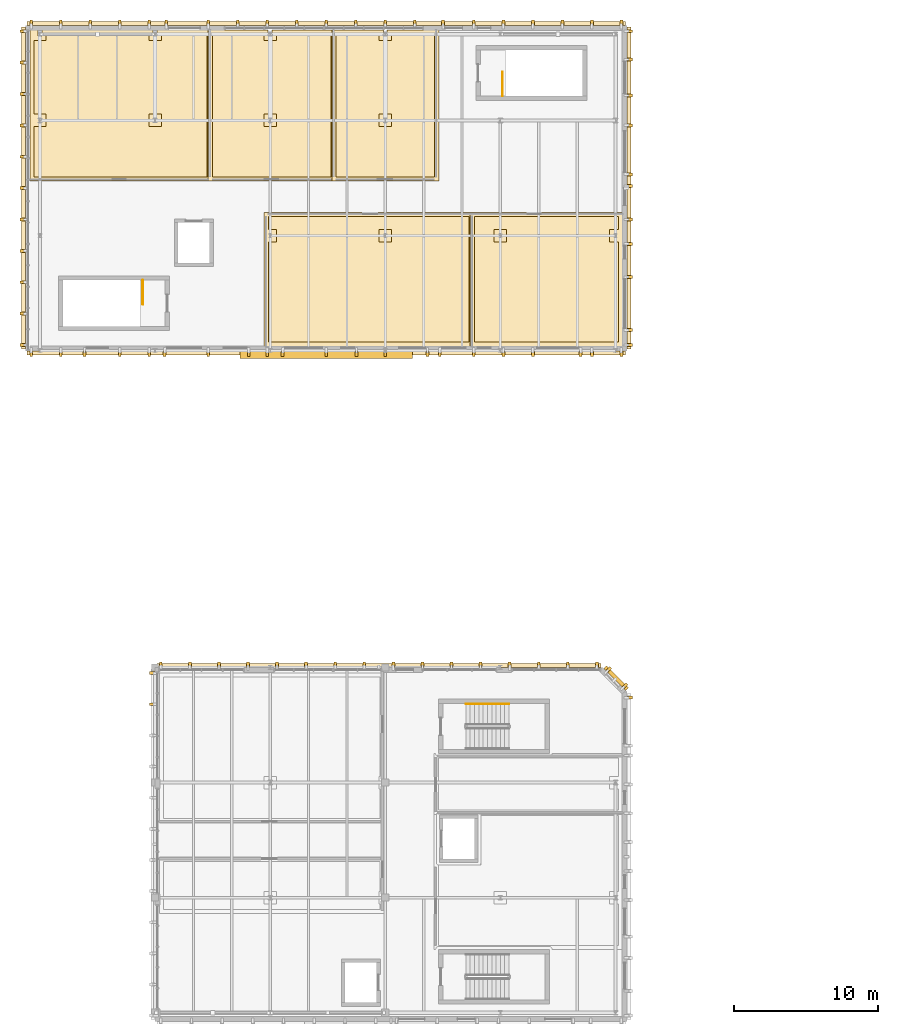
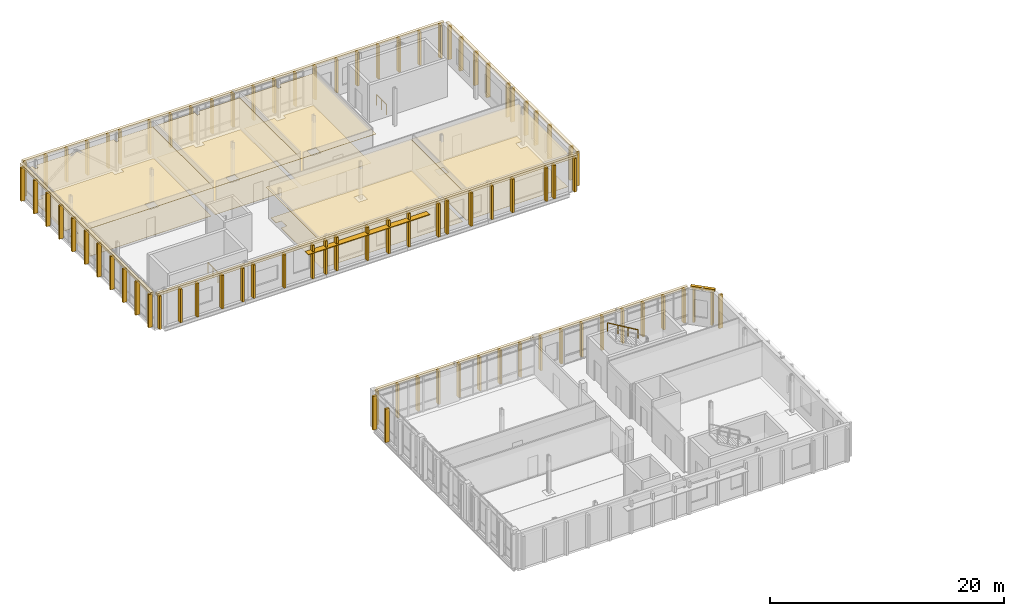
# One storey, part 37 of 40: 101 coverings, 3 railings, 1 shading device.
"""IFC4 building model written with IfcOpenShell, lengths in metres."""

from ifc_helpers import new_model, si_unit, direction, frame, origin, origin_2d, place, context, subcontext, project, spatial, polyline, rectangle, circle, outline, extrude, material, layer, layer_set, type_object, element, save


model = new_model("IFC4")

# Units and contexts
model_context = context("Model", 3, precision=1e-05, world=origin(), true_north=direction((0.0, 1.0)))
body_context = subcontext(model_context, "Body", "Model", "MODEL_VIEW")
ifc_project = project(units=[si_unit("LENGTHUNIT", "METRE"), si_unit("AREAUNIT", "SQUARE_METRE"), si_unit("VOLUMEUNIT", "CUBIC_METRE"), si_unit("PLANEANGLEUNIT", "RADIAN"), si_unit("MASSUNIT", "GRAM", prefix="KILO")], contexts=[model_context])

# Site, building, storey
site_placement = place(None, origin())
site = spatial("IfcSite", under=ifc_project, at=site_placement, CompositionType="ELEMENT")
building_placement = place(site_placement, origin())
building = spatial("IfcBuilding", under=site, at=building_placement, Name="Cymarion Research Institute", CompositionType="ELEMENT")
storey_placement = place(building_placement, frame((0.0, 0.0, 26.699951171875)))
storey = spatial("IfcBuildingStorey", under=building, at=storey_placement, Name="L06", CompositionType="ELEMENT", Elevation=26.699951171875)

# Coverings
ifc_material_1 = material(Name="Micro-perforated mineral acoustic ceiling tile", Category="gypsum")
ifc_layer_1 = layer(ifc_material_1, 0.030029296875)
ifc_layer_set_1 = layer_set([ifc_layer_1], Name="Micro-perforated mineral acoustic ceiling tile")
covering_type_1 = type_object("IfcCoveringType", Name="ACOUSTIC MICRO-PERFORATED SUSPENDED CEILING CLG-01", PredefinedType="CEILING", material=ifc_layer_set_1)
covering_1_placement = place(storey_placement, frame((0.0, 0.0, 3.110107421875)))
element("IfcCovering", 1, at=covering_1_placement, inside=storey, type_object=covering_type_1, Name="L06 L06 Terrace-Front Theoretical Biology Seminar Studio acoustic ceiling", PredefinedType="CEILING", context=body_context, shape_type="SweptSolid", body=[
    extrude(outline(polyline([(36.715087890625, 93.804931640625), (22.18505859375, 93.804931640625), (22.18505859375, 103.114990234375), (36.715087890625, 103.114990234375), (36.715087890625, 93.804931640625)])), origin(), (0.0, 0.0, 1.0), 0.030029296875),
])
covering_2_placement = place(storey_placement, frame((0.0, 0.0, 3.110107421875)))
element("IfcCovering", 2, at=covering_2_placement, inside=storey, type_object=covering_type_1, Name="L06 L06 Accessible WC and Upper V5 Staff Washrooms acoustic ceiling", PredefinedType="CEILING", context=body_context, shape_type="SweptSolid", body=[
    extrude(outline(polyline([(47.094970703125, 93.804931640625), (36.485107421875, 93.804931640625), (36.485107421875, 103.114990234375), (47.094970703125, 103.114990234375), (47.094970703125, 93.804931640625)])), origin(), (0.0, 0.0, 1.0), 0.030029296875),
])
covering_3_placement = place(storey_placement, frame((0.0, 0.0, 3.110107421875)))
element("IfcCovering", 3, at=covering_3_placement, inside=storey, type_object=covering_type_1, Name="L06 L06 Principal Investigator Offices North-West acoustic ceiling", PredefinedType="CEILING", context=body_context, shape_type="SweptSolid", body=[
    extrude(outline(polyline([(5.905029296875, 115.794921875), (6.465087890625, 115.794921875), (6.465087890625, 115.364990234375), (6.735107421875, 115.364990234375), (6.735107421875, 115.794921875), (14.465087890625, 115.794921875), (14.465087890625, 115.364990234375), (14.735107421875, 115.364990234375), (14.735107421875, 115.794921875), (18.514892578125, 115.794921875), (18.514892578125, 105.284912109375), (5.905029296875, 105.284912109375), (5.905029296875, 115.794921875)])), origin(), (0.0, 0.0, 1.0), 0.030029296875),
])
covering_4_placement = place(storey_placement, frame((0.0, 0.0, 3.110107421875)))
element("IfcCovering", 4, at=covering_4_placement, inside=storey, type_object=covering_type_1, Name="L06 L06 Postdoctoral Dry Write-Up & Reading Bay acoustic ceiling", PredefinedType="CEILING", context=body_context, shape_type="SweptSolid", body=[
    extrude(outline(polyline([(18.284912109375, 115.794921875), (22.465087890625, 115.794921875), (22.465087890625, 115.364990234375), (22.735107421875, 115.364990234375), (22.735107421875, 115.794921875), (27.114990234375, 115.794921875), (27.114990234375, 105.284912109375), (18.284912109375, 105.284912109375), (18.284912109375, 115.794921875)])), origin(), (0.0, 0.0, 1.0), 0.030029296875),
])
covering_5_placement = place(storey_placement, frame((0.0, 0.0, 3.110107421875)))
element("IfcCovering", 5, at=covering_5_placement, inside=storey, type_object=covering_type_1, Name="L06 L06 Scientific Visualization & Machine-Learning Dry Lab acoustic ceiling", PredefinedType="CEILING", context=body_context, shape_type="SweptSolid", body=[
    extrude(outline(polyline([(26.885009765625, 115.794921875), (30.465087890625, 115.794921875), (30.465087890625, 115.364990234375), (30.735107421875, 115.364990234375), (30.735107421875, 115.794921875), (34.31494140625, 115.794921875), (34.31494140625, 105.284912109375), (26.885009765625, 105.284912109375), (26.885009765625, 115.794921875)])), origin(), (0.0, 0.0, 1.0), 0.030029296875),
])

# Shading device
ifc_material_2 = material(Name="Anodised aluminium solar louvre jalousie", Category="aluminium")
ifc_layer_2 = layer(ifc_material_2, 0.06005859375)
ifc_layer_set_2 = layer_set([ifc_layer_2], Name="Anodised aluminium solar louvre jalousie")
shading_device_type = type_object("IfcShadingDeviceType", Name="ANODISED ALUMINIUM HORIZONTAL LOUVRE JALOUSIE SHD2 550MM", PredefinedType="JALOUSIE", material=ifc_layer_set_2)
shading_device_placement = place(storey_placement, frame((26.5, 93.222900390625, 2.7900390625), z_axis=(0.0, 0.0, 1.0), x_axis=(0.0, -1.0, 0.0)))
element("IfcShadingDevice", 6, at=shading_device_placement, inside=storey, type_object=shading_device_type, Name="L06 V5 south aluminium sunshade SHD2 #14", PredefinedType="JALOUSIE", context=body_context, shape_type="SweptSolid", body=[
    extrude(rectangle(XDim=0.550048828125, YDim=12.0, at=origin_2d()), origin(), (0.0, 0.0, 1.0), 0.06005859375),
])

# Railings
ifc_material_3 = material(Name="Steel S355", Category="steel")
railing_type_1 = type_object("IfcRailingType", Name="PAINTED STEEL STAIR GUARDRAIL GR1 1100MM", PredefinedType="GUARDRAIL", material=ifc_material_3)
railing_1_placement = place(storey_placement, frame((13.75, 98.39990234375, 0.0)))
element("IfcRailing", 7, at=railing_1_placement, inside=storey, type_object=railing_type_1, Name="L06 ST9 top well guard 1", PredefinedType="GUARDRAIL", context=body_context, shape_type="SweptSolid", body=[
    extrude(circle(Radius=0.02392578125, at=origin_2d()), frame((0.0, 0.0, 1.076171875), z_axis=(0.0, -1.0, 0.0), x_axis=(1.0, 0.0, 0.0)), (0.0, 0.0, 1.0), 1.679931640625),
    extrude(circle(Radius=0.02099609375, at=origin_2d()), origin(), (0.0, 0.0, 1.0), 1.052001953125),
    extrude(circle(Radius=0.02099609375, at=origin_2d()), frame((0.0, -0.83984375, 0.0)), (0.0, 0.0, 1.0), 1.052001953125),
    extrude(circle(Radius=0.02099609375, at=origin_2d()), frame((0.0, -1.679931640625, 0.0)), (0.0, 0.0, 1.0), 1.052001953125),
])
railing_2_placement = place(storey_placement, frame((38.75, 111.199951171875, 0.0)))
element("IfcRailing", 8, at=railing_2_placement, inside=storey, type_object=railing_type_1, Name="L06 ST10 top well guard 1", PredefinedType="GUARDRAIL", context=body_context, shape_type="SweptSolid", body=[
    extrude(circle(Radius=0.02392578125, at=origin_2d()), frame((0.0, 0.0, 1.076171875), z_axis=(0.0, 1.0, 0.0), x_axis=(-1.0, 0.0, 0.0)), (0.0, 0.0, 1.0), 1.679931640625),
    extrude(circle(Radius=0.02099609375, at=origin_2d()), origin(), (0.0, 0.0, 1.0), 1.052001953125),
    extrude(circle(Radius=0.02099609375, at=origin_2d()), frame((0.0, 0.83984375, 0.0)), (0.0, 0.0, 1.0), 1.052001953125),
    extrude(circle(Radius=0.02099609375, at=origin_2d()), frame((0.0, 1.679931640625, 0.0)), (0.0, 0.0, 1.0), 1.052001953125),
])

# Coverings
ifc_material_4 = material(Name="Precast concrete C45/55 architectural white", Category="concrete")
ifc_layer_3 = layer(ifc_material_4, 0.260009765625)
ifc_layer_set_3 = layer_set([ifc_layer_3], Name="Precast concrete C45/55 architectural white")
covering_type_2 = type_object("IfcCoveringType", Name="SCULPTURAL WHITE PRECAST CONCRETE SPANDREL BROW BAND RIB2 280MM", PredefinedType="CLADDING", material=ifc_layer_set_3)
covering_6_placement = place(storey_placement, frame((46.650390625, 70.75048828125, 3.52001953125), z_axis=(0.0, 0.0, 1.0), x_axis=(0.707106781187, 0.707106781187, 0.0)))
element("IfcCovering", 9, at=covering_6_placement, inside=storey, type_object=covering_type_2, Name="L06 V4 precast spandrel brow band RIB2 #1132", PredefinedType="CLADDING", context=body_context, shape_type="SweptSolid", body=[
    extrude(rectangle(XDim=0.280029296875, YDim=2.1640625, at=origin_2d()), origin(), (0.0, 0.0, 1.0), 0.260009765625),
])
covering_7_placement = place(storey_placement, frame((30.14990234375, 71.64208984375, 3.52001953125), z_axis=(0.0, 0.0, 1.0), x_axis=(0.0, 1.0, 0.0)))
element("IfcCovering", 10, at=covering_7_placement, inside=storey, type_object=covering_type_2, Name="L06 V4 precast spandrel brow band RIB2 #1135", PredefinedType="CLADDING", context=body_context, shape_type="SweptSolid", body=[
    extrude(rectangle(XDim=0.280029296875, YDim=30.860107421875, at=origin_2d()), origin(), (0.0, 0.0, 1.0), 0.260009765625),
])
covering_8_placement = place(storey_placement, frame((26.5, 93.35791015625, 3.5), z_axis=(0.0, 0.0, 1.0), x_axis=(0.0, -1.0, 0.0)))
element("IfcCovering", 11, at=covering_8_placement, inside=storey, type_object=covering_type_2, Name="L06 V5 precast spandrel brow band RIB2 #1165", PredefinedType="CLADDING", context=body_context, shape_type="SweptSolid", body=[
    extrude(rectangle(XDim=0.280029296875, YDim=41.56005859375, at=origin_2d()), origin(), (0.0, 0.0, 1.0), 0.260009765625),
])
covering_9_placement = place(storey_placement, frame((47.5419921875, 104.800048828125, 3.5), z_axis=(0.0, 0.0, 1.0), x_axis=(1.0, 0.0, 0.0)))
element("IfcCovering", 12, at=covering_9_placement, inside=storey, type_object=covering_type_2, Name="L06 V5 precast spandrel brow band RIB2 #1187", PredefinedType="CLADDING", context=body_context, shape_type="SweptSolid", body=[
    extrude(rectangle(XDim=0.280029296875, YDim=22.360107421875, at=origin_2d()), origin(), (0.0, 0.0, 1.0), 0.260009765625),
])
covering_10_placement = place(storey_placement, frame((26.5, 116.241943359375, 3.5), z_axis=(0.0, 0.0, 1.0), x_axis=(0.0, 1.0, 0.0)))
element("IfcCovering", 13, at=covering_10_placement, inside=storey, type_object=covering_type_2, Name="L06 V5 precast spandrel brow band RIB2 #1199", PredefinedType="CLADDING", context=body_context, shape_type="SweptSolid", body=[
    extrude(rectangle(XDim=0.280029296875, YDim=41.56005859375, at=origin_2d()), origin(), (0.0, 0.0, 1.0), 0.260009765625),
])
covering_11_placement = place(storey_placement, frame((5.4580078125, 104.800048828125, 3.5), z_axis=(0.0, 0.0, 1.0), x_axis=(-1.0, 0.0, 0.0)))
element("IfcCovering", 14, at=covering_11_placement, inside=storey, type_object=covering_type_2, Name="L06 V5 precast spandrel brow band RIB2 #1221", PredefinedType="CLADDING", context=body_context, shape_type="SweptSolid", body=[
    extrude(rectangle(XDim=0.280029296875, YDim=22.360107421875, at=origin_2d()), origin(), (0.0, 0.0, 1.0), 0.260009765625),
])
ifc_layer_4 = layer(ifc_material_4, 0.199951171875)
ifc_layer_set_4 = layer_set([ifc_layer_4], Name="Precast concrete C45/55 architectural white")
covering_type_3 = type_object("IfcCoveringType", Name="SCULPTURAL WHITE PRECAST CONCRETE VERTICAL RIB RIB1 380X200", PredefinedType="CLADDING", material=ifc_layer_set_4)
for number, where, z_axis, x_axis, name in (
    (15, (47.592041015625, 69.39990234375, 0.010009765625), (0.0, 0.0, 1.0), (1.0, 0.0, 0.0), "L06 V4 sculptural precast vertical rib RIB1 #1131"),
    (16, (47.2529296875, 70.218505859375, 0.010009765625), (0.0, 0.0, 1.0), (0.707106781187, 0.707106781187, 0.0), "L06 V4 sculptural precast vertical rib RIB1 #1133"),
    (17, (46.11865234375, 71.352783203125, 0.010009765625), (0.0, 0.0, 1.0), (0.707106781187, 0.707106781187, 0.0), "L06 V4 sculptural precast vertical rib RIB1 #1134"),
    (18, (45.300048828125, 71.69189453125, 0.010009765625), (0.0, 0.0, 1.0), (0.0, 1.0, 0.0), "L06 V4 sculptural precast vertical rib RIB1 #1136"),
    (19, (43.280029296875, 71.69189453125, 0.010009765625), (0.0, 0.0, 1.0), (0.0, 1.0, 0.0), "L06 V4 sculptural precast vertical rib RIB1 #1137"),
    (20, (41.260009765625, 71.69189453125, 0.010009765625), (0.0, 0.0, 1.0), (0.0, 1.0, 0.0), "L06 V4 sculptural precast vertical rib RIB1 #1138"),
    (21, (39.239990234375, 71.69189453125, 0.010009765625), (0.0, 0.0, 1.0), (0.0, 1.0, 0.0), "L06 V4 sculptural precast vertical rib RIB1 #1139"),
    (22, (37.219970703125, 71.69189453125, 0.010009765625), (0.0, 0.0, 1.0), (0.0, 1.0, 0.0), "L06 V4 sculptural precast vertical rib RIB1 #1140"),
    (23, (35.199951171875, 71.69189453125, 0.010009765625), (0.0, 0.0, 1.0), (0.0, 1.0, 0.0), "L06 V4 sculptural precast vertical rib RIB1 #1141"),
    (24, (33.179931640625, 71.69189453125, 0.010009765625), (0.0, 0.0, 1.0), (0.0, 1.0, 0.0), "L06 V4 sculptural precast vertical rib RIB1 #1142"),
    (25, (31.159912109375, 71.69189453125, 0.010009765625), (0.0, 0.0, 1.0), (0.0, 1.0, 0.0), "L06 V4 sculptural precast vertical rib RIB1 #1143"),
    (26, (29.139892578125, 71.69189453125, 0.010009765625), (0.0, 0.0, 1.0), (0.0, 1.0, 0.0), "L06 V4 sculptural precast vertical rib RIB1 #1144"),
    (27, (27.1201171875, 71.69189453125, 0.010009765625), (0.0, 0.0, 1.0), (0.0, 1.0, 0.0), "L06 V4 sculptural precast vertical rib RIB1 #1145"),
    (28, (25.10009765625, 71.69189453125, 0.010009765625), (0.0, 0.0, 1.0), (0.0, 1.0, 0.0), "L06 V4 sculptural precast vertical rib RIB1 #1146"),
    (29, (23.080078125, 71.69189453125, 0.010009765625), (0.0, 0.0, 1.0), (0.0, 1.0, 0.0), "L06 V4 sculptural precast vertical rib RIB1 #1147"),
    (30, (21.06005859375, 71.69189453125, 0.010009765625), (0.0, 0.0, 1.0), (0.0, 1.0, 0.0), "L06 V4 sculptural precast vertical rib RIB1 #1148"),
    (31, (19.0400390625, 71.69189453125, 0.010009765625), (0.0, 0.0, 1.0), (0.0, 1.0, 0.0), "L06 V4 sculptural precast vertical rib RIB1 #1149"),
    (32, (17.02001953125, 71.69189453125, 0.010009765625), (0.0, 0.0, 1.0), (0.0, 1.0, 0.0), "L06 V4 sculptural precast vertical rib RIB1 #1150"),
    (33, (15.0, 71.69189453125, 0.010009765625), (0.0, 0.0, 1.0), (0.0, 1.0, 0.0), "L06 V4 sculptural precast vertical rib RIB1 #1151"),
    (34, (14.407958984375, 71.10009765625, 0.010009765625), (0.0, 0.0, 1.0), (-1.0, 0.0, 0.0), "L06 V4 sculptural precast vertical rib RIB1 #1153"),
    (35, (14.407958984375, 68.936279296875, 0.010009765625), (0.0, 0.0, 1.0), (-1.0, 0.0, 0.0), "L06 V4 sculptural precast vertical rib RIB1 #1154"),
):
    element("IfcCovering", number, at=place(storey_placement, frame(where, z_axis=z_axis, x_axis=x_axis)), inside=storey, type_object=covering_type_3, Name=name, PredefinedType="CLADDING", context=body_context, shape_type="SweptSolid", body=[
        extrude(rectangle(XDim=0.3798828125, YDim=0.199951171875, at=origin_2d()), origin(), (0.0, 0.0, 1.0), 3.5048828125),
    ])
for number, where, z_axis, x_axis, name in (
    (36, (6.0, 93.30810546875, 0.009765625), (0.0, 0.0, 1.0), (0.0, -1.0, 0.0), "L06 V5 sculptural precast vertical rib RIB1 #1166"),
    (37, (8.050048828125, 93.30810546875, 0.009765625), (0.0, 0.0, 1.0), (0.0, -1.0, 0.0), "L06 V5 sculptural precast vertical rib RIB1 #1167"),
    (38, (9.699951171875, 93.30810546875, 0.009765625), (0.0, 0.0, 1.0), (0.0, -1.0, 0.0), "L06 V5 sculptural precast vertical rib RIB1 #1168"),
    (39, (12.14990234375, 93.30810546875, 0.009765625), (0.0, 0.0, 1.0), (0.0, -1.0, 0.0), "L06 V5 sculptural precast vertical rib RIB1 #1169"),
    (40, (14.199951171875, 93.30810546875, 0.009765625), (0.0, 0.0, 1.0), (0.0, -1.0, 0.0), "L06 V5 sculptural precast vertical rib RIB1 #1170"),
    (41, (15.27001953125, 93.30810546875, 0.009765625), (0.0, 0.0, 1.0), (0.0, -1.0, 0.0), "L06 V5 sculptural precast vertical rib RIB1 #1171"),
    (42, (18.300048828125, 93.30810546875, 0.009765625), (0.0, 0.0, 1.0), (0.0, -1.0, 0.0), "L06 V5 sculptural precast vertical rib RIB1 #1172"),
    (43, (21.110107421875, 93.30810546875, 0.009765625), (0.0, 0.0, 1.0), (0.0, -1.0, 0.0), "L06 V5 sculptural precast vertical rib RIB1 #1173"),
    (44, (22.39990234375, 93.30810546875, 0.009765625), (0.0, 0.0, 1.0), (0.0, -1.0, 0.0), "L06 V5 sculptural precast vertical rib RIB1 #1174"),
    (45, (23.469970703125, 93.30810546875, 0.009765625), (0.0, 0.0, 1.0), (0.0, -1.0, 0.0), "L06 V5 sculptural precast vertical rib RIB1 #1175"),
    (46, (26.5, 93.30810546875, 0.009765625), (0.0, 0.0, 1.0), (0.0, -1.0, 0.0), "L06 V5 sculptural precast vertical rib RIB1 #1176"),
    (47, (28.60009765625, 93.30810546875, 0.009765625), (0.0, 0.0, 1.0), (0.0, -1.0, 0.0), "L06 V5 sculptural precast vertical rib RIB1 #1177"),
    (48, (30.60009765625, 93.30810546875, 0.009765625), (0.0, 0.0, 1.0), (0.0, -1.0, 0.0), "L06 V5 sculptural precast vertical rib RIB1 #1178"),
    (49, (33.530029296875, 93.30810546875, 0.009765625), (0.0, 0.0, 1.0), (0.0, -1.0, 0.0), "L06 V5 sculptural precast vertical rib RIB1 #1179"),
    (50, (34.385009765625, 93.30810546875, 0.009765625), (0.0, 0.0, 1.0), (0.0, -1.0, 0.0), "L06 V5 sculptural precast vertical rib RIB1 #1180"),
    (51, (36.75, 93.30810546875, 0.009765625), (0.0, 0.0, 1.0), (0.0, -1.0, 0.0), "L06 V5 sculptural precast vertical rib RIB1 #1181"),
    (52, (38.800048828125, 93.30810546875, 0.009765625), (0.0, 0.0, 1.0), (0.0, -1.0, 0.0), "L06 V5 sculptural precast vertical rib RIB1 #1182"),
    (53, (40.85009765625, 93.30810546875, 0.009765625), (0.0, 0.0, 1.0), (0.0, -1.0, 0.0), "L06 V5 sculptural precast vertical rib RIB1 #1183"),
    (54, (44.175048828125, 93.30810546875, 0.009765625), (0.0, 0.0, 1.0), (0.0, -1.0, 0.0), "L06 V5 sculptural precast vertical rib RIB1 #1184"),
    (55, (44.949951171875, 93.30810546875, 0.009765625), (0.0, 0.0, 1.0), (0.0, -1.0, 0.0), "L06 V5 sculptural precast vertical rib RIB1 #1185"),
    (56, (47.0, 93.30810546875, 0.009765625), (0.0, 0.0, 1.0), (0.0, -1.0, 0.0), "L06 V5 sculptural precast vertical rib RIB1 #1186"),
    (57, (47.592041015625, 93.89990234375, 0.009765625), (0.0, 0.0, 1.0), (1.0, 0.0, 0.0), "L06 V5 sculptural precast vertical rib RIB1 #1188"),
    (58, (47.592041015625, 94.930908203125, 0.009765625), (0.0, 0.0, 1.0), (1.0, 0.0, 0.0), "L06 V5 sculptural precast vertical rib RIB1 #1189"),
    (59, (47.592041015625, 98.631103515625, 0.009765625), (0.0, 0.0, 1.0), (1.0, 0.0, 0.0), "L06 V5 sculptural precast vertical rib RIB1 #1190"),
    (60, (47.592041015625, 100.929931640625, 0.009765625), (0.0, 0.0, 1.0), (1.0, 0.0, 0.0), "L06 V5 sculptural precast vertical rib RIB1 #1191"),
    (61, (47.592041015625, 102.6201171875, 0.009765625), (0.0, 0.0, 1.0), (1.0, 0.0, 0.0), "L06 V5 sculptural precast vertical rib RIB1 #1192"),
    (62, (47.592041015625, 104.949951171875, 0.009765625), (0.0, 0.0, 1.0), (1.0, 0.0, 0.0), "L06 V5 sculptural precast vertical rib RIB1 #1193"),
    (63, (47.592041015625, 105.7548828125, 0.009765625), (0.0, 0.0, 1.0), (1.0, 0.0, 0.0), "L06 V5 sculptural precast vertical rib RIB1 #1194"),
    (64, (47.592041015625, 109.159912109375, 0.009765625), (0.0, 0.0, 1.0), (1.0, 0.0, 0.0), "L06 V5 sculptural precast vertical rib RIB1 #1195"),
    (65, (47.592041015625, 111.239990234375, 0.009765625), (0.0, 0.0, 1.0), (1.0, 0.0, 0.0), "L06 V5 sculptural precast vertical rib RIB1 #1196"),
    (66, (47.592041015625, 113.739990234375, 0.009765625), (0.0, 0.0, 1.0), (1.0, 0.0, 0.0), "L06 V5 sculptural precast vertical rib RIB1 #1197"),
    (67, (47.592041015625, 115.699951171875, 0.009765625), (0.0, 0.0, 1.0), (1.0, 0.0, 0.0), "L06 V5 sculptural precast vertical rib RIB1 #1198"),
    (68, (47.0, 116.2919921875, 0.009765625), (0.0, 0.0, 1.0), (0.0, 1.0, 0.0), "L06 V5 sculptural precast vertical rib RIB1 #1200"),
    (69, (44.949951171875, 116.2919921875, 0.009765625), (0.0, 0.0, 1.0), (0.0, 1.0, 0.0), "L06 V5 sculptural precast vertical rib RIB1 #1201"),
    (70, (42.89990234375, 116.2919921875, 0.009765625), (0.0, 0.0, 1.0), (0.0, 1.0, 0.0), "L06 V5 sculptural precast vertical rib RIB1 #1202"),
    (71, (40.85009765625, 116.2919921875, 0.009765625), (0.0, 0.0, 1.0), (0.0, 1.0, 0.0), "L06 V5 sculptural precast vertical rib RIB1 #1203"),
    (72, (38.800048828125, 116.2919921875, 0.009765625), (0.0, 0.0, 1.0), (0.0, 1.0, 0.0), "L06 V5 sculptural precast vertical rib RIB1 #1204"),
    (73, (36.75, 116.2919921875, 0.009765625), (0.0, 0.0, 1.0), (0.0, 1.0, 0.0), "L06 V5 sculptural precast vertical rib RIB1 #1205"),
    (74, (34.610107421875, 116.2919921875, 0.009765625), (0.0, 0.0, 1.0), (0.0, 1.0, 0.0), "L06 V5 sculptural precast vertical rib RIB1 #1206"),
    (75, (32.64990234375, 116.2919921875, 0.009765625), (0.0, 0.0, 1.0), (0.0, 1.0, 0.0), "L06 V5 sculptural precast vertical rib RIB1 #1207"),
    (76, (30.60009765625, 116.2919921875, 0.009765625), (0.0, 0.0, 1.0), (0.0, 1.0, 0.0), "L06 V5 sculptural precast vertical rib RIB1 #1208"),
    (77, (28.550048828125, 116.2919921875, 0.009765625), (0.0, 0.0, 1.0), (0.0, 1.0, 0.0), "L06 V5 sculptural precast vertical rib RIB1 #1209"),
    (78, (26.5, 116.2919921875, 0.009765625), (0.0, 0.0, 1.0), (0.0, 1.0, 0.0), "L06 V5 sculptural precast vertical rib RIB1 #1210"),
    (79, (24.449951171875, 116.2919921875, 0.009765625), (0.0, 0.0, 1.0), (0.0, 1.0, 0.0), "L06 V5 sculptural precast vertical rib RIB1 #1211"),
    (80, (22.39990234375, 116.2919921875, 0.009765625), (0.0, 0.0, 1.0), (0.0, 1.0, 0.0), "L06 V5 sculptural precast vertical rib RIB1 #1212"),
    (81, (20.35009765625, 116.2919921875, 0.009765625), (0.0, 0.0, 1.0), (0.0, 1.0, 0.0), "L06 V5 sculptural precast vertical rib RIB1 #1213"),
    (82, (18.300048828125, 116.2919921875, 0.009765625), (0.0, 0.0, 1.0), (0.0, 1.0, 0.0), "L06 V5 sculptural precast vertical rib RIB1 #1214"),
    (83, (15.3798828125, 116.2919921875, 0.009765625), (0.0, 0.0, 1.0), (0.0, 1.0, 0.0), "L06 V5 sculptural precast vertical rib RIB1 #1215"),
    (84, (14.199951171875, 116.2919921875, 0.009765625), (0.0, 0.0, 1.0), (0.0, 1.0, 0.0), "L06 V5 sculptural precast vertical rib RIB1 #1216"),
    (85, (12.14990234375, 116.2919921875, 0.009765625), (0.0, 0.0, 1.0), (0.0, 1.0, 0.0), "L06 V5 sculptural precast vertical rib RIB1 #1217"),
    (86, (10.10009765625, 116.2919921875, 0.009765625), (0.0, 0.0, 1.0), (0.0, 1.0, 0.0), "L06 V5 sculptural precast vertical rib RIB1 #1218"),
    (87, (8.050048828125, 116.2919921875, 0.009765625), (0.0, 0.0, 1.0), (0.0, 1.0, 0.0), "L06 V5 sculptural precast vertical rib RIB1 #1219"),
    (88, (6.0, 116.2919921875, 0.009765625), (0.0, 0.0, 1.0), (0.0, 1.0, 0.0), "L06 V5 sculptural precast vertical rib RIB1 #1220"),
    (89, (5.407958984375, 115.699951171875, 0.009765625), (0.0, 0.0, 1.0), (-1.0, 0.0, 0.0), "L06 V5 sculptural precast vertical rib RIB1 #1222"),
    (90, (5.407958984375, 113.52001953125, 0.009765625), (0.0, 0.0, 1.0), (-1.0, 0.0, 0.0), "L06 V5 sculptural precast vertical rib RIB1 #1223"),
    (91, (5.407958984375, 111.340087890625, 0.009765625), (0.0, 0.0, 1.0), (-1.0, 0.0, 0.0), "L06 V5 sculptural precast vertical rib RIB1 #1224"),
    (92, (5.407958984375, 109.159912109375, 0.009765625), (0.0, 0.0, 1.0), (-1.0, 0.0, 0.0), "L06 V5 sculptural precast vertical rib RIB1 #1225"),
    (93, (5.407958984375, 106.97998046875, 0.009765625), (0.0, 0.0, 1.0), (-1.0, 0.0, 0.0), "L06 V5 sculptural precast vertical rib RIB1 #1226"),
    (94, (5.407958984375, 104.800048828125, 0.009765625), (0.0, 0.0, 1.0), (-1.0, 0.0, 0.0), "L06 V5 sculptural precast vertical rib RIB1 #1227"),
    (95, (5.407958984375, 102.6201171875, 0.009765625), (0.0, 0.0, 1.0), (-1.0, 0.0, 0.0), "L06 V5 sculptural precast vertical rib RIB1 #1228"),
    (96, (5.407958984375, 100.43994140625, 0.009765625), (0.0, 0.0, 1.0), (-1.0, 0.0, 0.0), "L06 V5 sculptural precast vertical rib RIB1 #1229"),
    (97, (5.407958984375, 98.260009765625, 0.009765625), (0.0, 0.0, 1.0), (-1.0, 0.0, 0.0), "L06 V5 sculptural precast vertical rib RIB1 #1230"),
    (98, (5.407958984375, 96.080078125, 0.009765625), (0.0, 0.0, 1.0), (-1.0, 0.0, 0.0), "L06 V5 sculptural precast vertical rib RIB1 #1231"),
    (99, (5.407958984375, 93.89990234375, 0.009765625), (0.0, 0.0, 1.0), (-1.0, 0.0, 0.0), "L06 V5 sculptural precast vertical rib RIB1 #1232"),
):
    element("IfcCovering", number, at=place(storey_placement, frame(where, z_axis=z_axis, x_axis=x_axis)), inside=storey, type_object=covering_type_3, Name=name, PredefinedType="CLADDING", context=body_context, shape_type="SweptSolid", body=[
        extrude(rectangle(XDim=0.3798828125, YDim=0.199951171875, at=origin_2d()), origin(), (0.0, 0.0, 1.0), 3.485107421875),
    ])
ifc_material_5 = material(Name="Seamless dissipative epoxy resin flooring", Category="resin")
ifc_layer_5 = layer(ifc_material_5, 0.02001953125)
ifc_layer_set_5 = layer_set([ifc_layer_5], Name="Seamless dissipative epoxy resin flooring")
covering_type_4 = type_object("IfcCoveringType", Name="SEAMLESS ESD EPOXY LABORATORY FLOORING FLR-01", PredefinedType="FLOORING", material=ifc_layer_set_5)
covering_12_placement = place(storey_placement, origin())
element("IfcCovering", 100, at=covering_12_placement, inside=storey, type_object=covering_type_4, Name="L06 L06 Terrace-Front Theoretical Biology Seminar Studio ESD epoxy flooring", PredefinedType="FLOORING", context=body_context, shape_type="SweptSolid", body=[
    extrude(outline(polyline([(22.485107421875, 101.06494140625), (23.034912109375, 101.06494140625), (23.034912109375, 101.93505859375), (22.485107421875, 101.93505859375), (22.485107421875, 102.81494140625), (36.4150390625, 102.81494140625), (36.4150390625, 94.10498046875), (22.485107421875, 94.10498046875), (22.485107421875, 101.06494140625)]), holes=[polyline([(30.1650390625, 101.93505859375), (30.1650390625, 101.06494140625), (31.034912109375, 101.06494140625), (31.034912109375, 101.93505859375), (30.1650390625, 101.93505859375)])]), origin(), (0.0, 0.0, 1.0), 0.02001953125),
])
covering_13_placement = place(storey_placement, origin())
element("IfcCovering", 101, at=covering_13_placement, inside=storey, type_object=covering_type_4, Name="L06 L06 Accessible WC and Upper V5 Staff Washrooms ESD epoxy flooring", PredefinedType="FLOORING", context=body_context, shape_type="SweptSolid", body=[
    extrude(outline(polyline([(46.1650390625, 101.93505859375), (46.1650390625, 101.06494140625), (46.794921875, 101.06494140625), (46.794921875, 94.10498046875), (36.784912109375, 94.10498046875), (36.784912109375, 102.81494140625), (46.794921875, 102.81494140625), (46.794921875, 101.93505859375), (46.1650390625, 101.93505859375)]), holes=[polyline([(38.1650390625, 101.06494140625), (39.034912109375, 101.06494140625), (39.034912109375, 101.93505859375), (38.1650390625, 101.93505859375), (38.1650390625, 101.06494140625)])]), origin(), (0.0, 0.0, 1.0), 0.02001953125),
])
covering_14_placement = place(storey_placement, origin())
element("IfcCovering", 102, at=covering_14_placement, inside=storey, type_object=covering_type_4, Name="L06 L06 Principal Investigator Offices North-West ESD epoxy flooring", PredefinedType="FLOORING", context=body_context, shape_type="SweptSolid", body=[
    extrude(outline(polyline([(6.205078125, 109.06494140625), (7.034912109375, 109.06494140625), (7.034912109375, 109.93505859375), (6.205078125, 109.93505859375), (6.205078125, 115.06494140625), (7.034912109375, 115.06494140625), (7.034912109375, 115.4951171875), (14.1650390625, 115.4951171875), (14.1650390625, 115.06494140625), (15.034912109375, 115.06494140625), (15.034912109375, 115.4951171875), (18.215087890625, 115.4951171875), (18.215087890625, 105.5849609375), (6.205078125, 105.5849609375), (6.205078125, 109.06494140625)]), holes=[polyline([(14.1650390625, 109.06494140625), (15.034912109375, 109.06494140625), (15.034912109375, 109.93505859375), (14.1650390625, 109.93505859375), (14.1650390625, 109.06494140625)])]), origin(), (0.0, 0.0, 1.0), 0.02001953125),
])
covering_15_placement = place(storey_placement, origin())
element("IfcCovering", 103, at=covering_15_placement, inside=storey, type_object=covering_type_4, Name="L06 L06 Postdoctoral Dry Write-Up & Reading Bay ESD epoxy flooring", PredefinedType="FLOORING", context=body_context, shape_type="SweptSolid", body=[
    extrude(outline(polyline([(18.5849609375, 105.5849609375), (18.5849609375, 115.4951171875), (22.1650390625, 115.4951171875), (22.1650390625, 115.06494140625), (23.034912109375, 115.06494140625), (23.034912109375, 115.4951171875), (26.81494140625, 115.4951171875), (26.81494140625, 105.5849609375), (18.5849609375, 105.5849609375)]), holes=[polyline([(22.1650390625, 109.06494140625), (23.034912109375, 109.06494140625), (23.034912109375, 109.93505859375), (22.1650390625, 109.93505859375), (22.1650390625, 109.06494140625)])]), origin(), (0.0, 0.0, 1.0), 0.02001953125),
])
covering_16_placement = place(storey_placement, origin())
element("IfcCovering", 104, at=covering_16_placement, inside=storey, type_object=covering_type_4, Name="L06 L06 Scientific Visualization & Machine-Learning Dry Lab ESD epoxy flooring", PredefinedType="FLOORING", context=body_context, shape_type="SweptSolid", body=[
    extrude(outline(polyline([(27.18505859375, 105.5849609375), (27.18505859375, 115.4951171875), (30.1650390625, 115.4951171875), (30.1650390625, 115.06494140625), (31.034912109375, 115.06494140625), (31.034912109375, 115.4951171875), (34.014892578125, 115.4951171875), (34.014892578125, 105.5849609375), (27.18505859375, 105.5849609375)]), holes=[polyline([(30.1650390625, 109.93505859375), (30.1650390625, 109.06494140625), (31.034912109375, 109.06494140625), (31.034912109375, 109.93505859375), (30.1650390625, 109.93505859375)])]), origin(), (0.0, 0.0, 1.0), 0.02001953125),
])

# Railing
railing_type_2 = type_object("IfcRailingType", Name="STAINLESS STEEL STAIR HANDRAIL HR1 900MM", PredefinedType="HANDRAIL", material=ifc_material_3)
railing_3_placement = place(storey_placement, frame((39.199951171875, 68.949951171875, 2.12744140625)))
element("IfcRailing", 105, at=railing_3_placement, inside=storey, type_object=railing_type_2, Name="L06 ST8 stair handrail 2", PredefinedType="HANDRAIL", context=body_context, shape_type="SweptSolid", body=[
    extrude(circle(Radius=0.02392578125, at=origin_2d()), frame((0.0, 0.0, 0.8759765625), z_axis=(-0.86092931783, 0.0, 0.508724591208), x_axis=(0.0, -1.0, 0.0)), (0.0, 0.0, 1.0), 3.484619140625),
    extrude(circle(Radius=0.02099609375, at=origin_2d()), origin(), (0.0, 0.0, 1.0), 0.851806640625),
    extrude(circle(Radius=0.02099609375, at=origin_2d()), frame((-1.0, 0.0, 0.5908203125)), (0.0, 0.0, 1.0), 0.851806640625),
    extrude(circle(Radius=0.02099609375, at=origin_2d()), frame((-2.0, 0.0, 1.181884765625)), (0.0, 0.0, 1.0), 0.851806640625),
    extrude(circle(Radius=0.02099609375, at=origin_2d()), frame((-3.0, 0.0, 1.772705078125)), (0.0, 0.0, 1.0), 0.851806640625),
])

save(model, "model.ifc")
